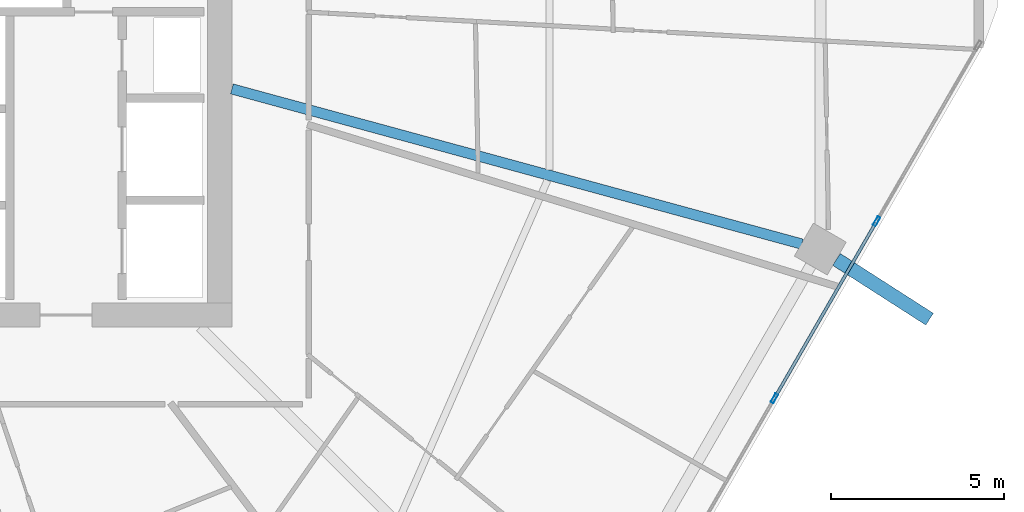
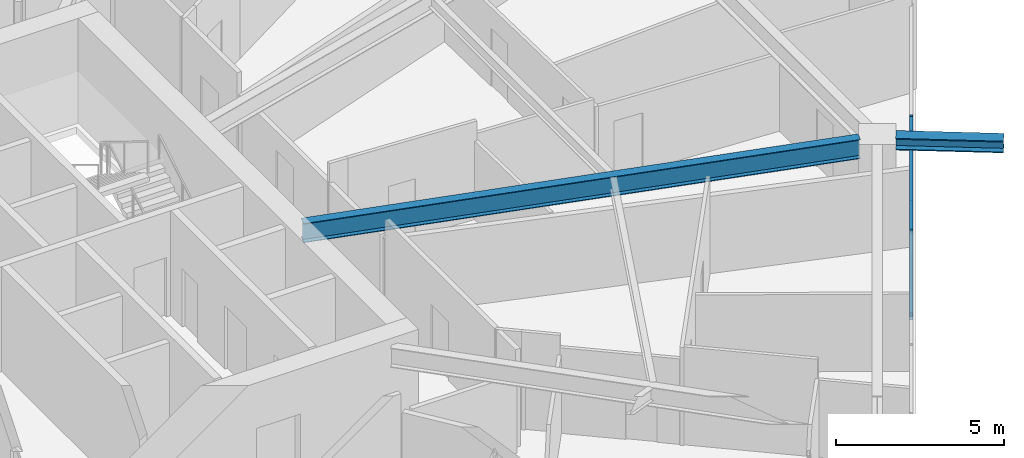
# One storey, part 11 of 32: 4 members, 2 beams, 1 element without a shape of its own.
"""IFC4 building model written with IfcOpenShell, lengths in metres."""

from ifc_helpers import new_model, si_unit, direction, frame, origin, origin_2d, place, context, subcontext, project, spatial, hollow_rectangle, i_section, extrude, material, material_profile, profile_set, type_object, element, aggregate, save


model = new_model("IFC4")

# Units and contexts
model_context = context("Model", 3, precision=1e-05, world=origin(), true_north=direction((0.0, 1.0)))
body_context = subcontext(model_context, "Body", "Model", "MODEL_VIEW")
ifc_project = project(units=[si_unit("LENGTHUNIT", "METRE"), si_unit("AREAUNIT", "SQUARE_METRE"), si_unit("VOLUMEUNIT", "CUBIC_METRE"), si_unit("PLANEANGLEUNIT", "RADIAN"), si_unit("MASSUNIT", "GRAM", prefix="KILO")], contexts=[model_context])

# Site, building, storey
site_placement = place(None, origin())
site = spatial("IfcSite", under=ifc_project, at=site_placement, CompositionType="ELEMENT")
building_placement = place(site_placement, origin())
building = spatial("IfcBuilding", under=site, at=building_placement, Name="Zuhravey Tower", CompositionType="ELEMENT")
storey_placement = place(building_placement, frame((0.0, 0.0, 111.39990234375)))
storey = spatial("IfcBuildingStorey", under=building, at=storey_placement, Name="L27", CompositionType="ELEMENT", Elevation=111.39990234375)

# Curtain wall, members
ifc_material_1 = material(Name="Thermally broken anodised aluminium", Category="aluminium")
curtain_wall_type = type_object("IfcCurtainWallType", Name="Zone 1-2 Residential Curtain Wall CW3", PredefinedType="NOTDEFINED", material=ifc_material_1)
curtain_wall_placement = place(storey_placement, origin())
curtain_wall = element("IfcCurtainWall", 1, at=curtain_wall_placement, inside=storey, type_object=curtain_wall_type, Name="L27 CW3 CW-L27-F6-1", PredefinedType="NOTDEFINED")
ifc_material_2 = material(Name="Anodised aluminium", Category="aluminium")
ifc_material_profile_1 = material_profile(ifc_material_2, hollow_rectangle(XDim=0.090087890625, YDim=0.284912109375, WallThickness=0.0048828125, at=origin_2d()), Name="ALU-RHS-90x285x5")
ifc_profile_set_1 = profile_set([ifc_material_profile_1], Name="Anodised aluminium")
member_type_1 = type_object("IfcMemberType", Name="Curtain-Wall Mullion 90x180", PredefinedType="MULLION", material=ifc_profile_set_1)
member_1_placement = place(storey_placement, frame((65.5185546875, 25.210693359375, 0.0), z_axis=(0.0, 0.0, 1.0), x_axis=(0.86602552265, -0.499999794119, 0.0)))
member_1 = element("IfcMember", 2, at=member_1_placement, type_object=member_type_1, Name="CW3 mullion 2", PredefinedType="MULLION", context=body_context, shape_type="SweptSolid", body=[
    extrude(hollow_rectangle(XDim=0.090087890625, YDim=0.284912109375, WallThickness=0.0048828125, at=origin_2d()), origin(), (0.0, 0.0, 1.0), 3.1220703125),
])
member_2_placement = place(storey_placement, frame((62.55859375, 20.083984375, 0.0), z_axis=(0.0, 0.0, 1.0), x_axis=(0.86602552265, -0.499999794119, 0.0)))
member_2 = element("IfcMember", 3, at=member_2_placement, type_object=member_type_1, Name="CW3 mullion 3", PredefinedType="MULLION", context=body_context, shape_type="SweptSolid", body=[
    extrude(hollow_rectangle(XDim=0.090087890625, YDim=0.284912109375, WallThickness=0.0048828125, at=origin_2d()), origin(), (0.0, 0.0, 1.0), 3.1220703125),
])
ifc_material_profile_2 = material_profile(ifc_material_2, hollow_rectangle(XDim=0.090087890625, YDim=0.14990234375, WallThickness=0.0048828125, at=origin_2d()), Name="ALU-RHS-90x150x5")
ifc_profile_set_2 = profile_set([ifc_material_profile_2], Name="Anodised aluminium")
member_type_2 = type_object("IfcMemberType", Name="Curtain-Wall Transom 90x150", PredefinedType="USERDEFINED", material=ifc_profile_set_2)
member_3_placement = place(storey_placement, frame((65.49609375, 25.171875, 0.045166015625), z_axis=(-0.499981042766, -0.866036348472, 0.0), x_axis=(0.866036348472, -0.499981042766, 0.0)))
member_3 = element("IfcMember", 4, at=member_3_placement, type_object=member_type_2, Name="CW3 transom 2.1", ObjectType="TRANSOM", PredefinedType="USERDEFINED", context=body_context, shape_type="SweptSolid", body=[
    extrude(hollow_rectangle(XDim=0.090087890625, YDim=0.14990234375, WallThickness=0.0048828125, at=origin_2d()), origin(), (0.0, 0.0, 1.0), 5.829833984375),
])
member_4_placement = place(storey_placement, frame((65.49609375, 25.171875, 3.0771484375), z_axis=(-0.499981042766, -0.866036348472, 0.0), x_axis=(0.866036348472, -0.499981042766, 0.0)))
member_4 = element("IfcMember", 5, at=member_4_placement, type_object=member_type_2, Name="CW3 transom 2.2", ObjectType="TRANSOM", PredefinedType="USERDEFINED", context=body_context, shape_type="SweptSolid", body=[
    extrude(hollow_rectangle(XDim=0.090087890625, YDim=0.14990234375, WallThickness=0.0048828125, at=origin_2d()), origin(), (0.0, 0.0, 1.0), 5.829833984375),
])
aggregate(curtain_wall, [member_1, member_2, member_3, member_4])

# Beams
ifc_material_3 = material(Name="Steel SM460", Category="steel")
ifc_material_profile_3 = material_profile(ifc_material_3, i_section(OverallWidth=0.406982421875, OverallDepth=0.427978515625, WebThickness=0.02001953125, FlangeThickness=0.034912109375, at=origin_2d()), Name="H-428x407x20x35")
ifc_profile_set_3 = profile_set([ifc_material_profile_3], Name="Steel SM460")
beam_type_1 = type_object("IfcBeamType", Name="Exoskeleton Node Tie Beam H428x407", PredefinedType="BEAM", material=ifc_profile_set_3)
beam_1_placement = place(storey_placement, frame((64.35595703125, 24.10888671875, 3.336181640625), z_axis=(0.841742425164, -0.539879328812, 0.0), x_axis=(0.539879328812, 0.841742425164, 0.0)))
element("IfcBeam", 6, at=beam_1_placement, inside=storey, type_object=beam_type_1, Name="L27 Exoskeleton Node Tie NT1-12", PredefinedType="BEAM", context=body_context, shape_type="SweptSolid", body=[
    extrude(i_section(OverallWidth=0.406982421875, OverallDepth=0.427978515625, WebThickness=0.02001953125, FlangeThickness=0.034912109375, at=origin_2d()), origin(), (0.0, 0.0, 1.0), 3.204345703125),
])
ifc_material_4 = material(Name="Steel SM355", Category="steel")
ifc_material_profile_4 = material_profile(ifc_material_4, i_section(OverallWidth=0.300048828125, OverallDepth=0.699951171875, WebThickness=0.012939453125, FlangeThickness=0.02392578125, at=origin_2d()), Name="H-700x300x13x24")
ifc_profile_set_4 = profile_set([ifc_material_profile_4], Name="Steel SM355")
beam_type_2 = type_object("IfcBeamType", Name="Radial Primary Girder H700x300", PredefinedType="BEAM", material=ifc_profile_set_4)
beam_2_placement = place(storey_placement, frame((46.85302734375, 29.045654296875, 3.2001953125), z_axis=(0.964893166225, -0.262642680791, 0.0), x_axis=(0.262642680791, 0.964893166225, 0.0)))
element("IfcBeam", 7, at=beam_2_placement, inside=storey, type_object=beam_type_2, Name="L27 RG1 BM-L27-RAD-12", PredefinedType="BEAM", context=body_context, shape_type="SweptSolid", body=[
    extrude(i_section(OverallWidth=0.300048828125, OverallDepth=0.699951171875, WebThickness=0.012939453125, FlangeThickness=0.02392578125, at=origin_2d()), origin(), (0.0, 0.0, 1.0), 17.102783203125),
])

save(model, "model.ifc")
